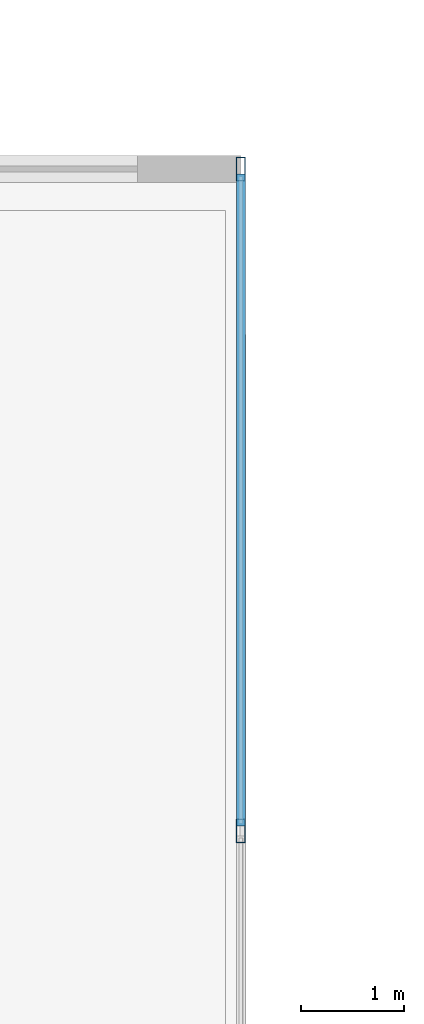
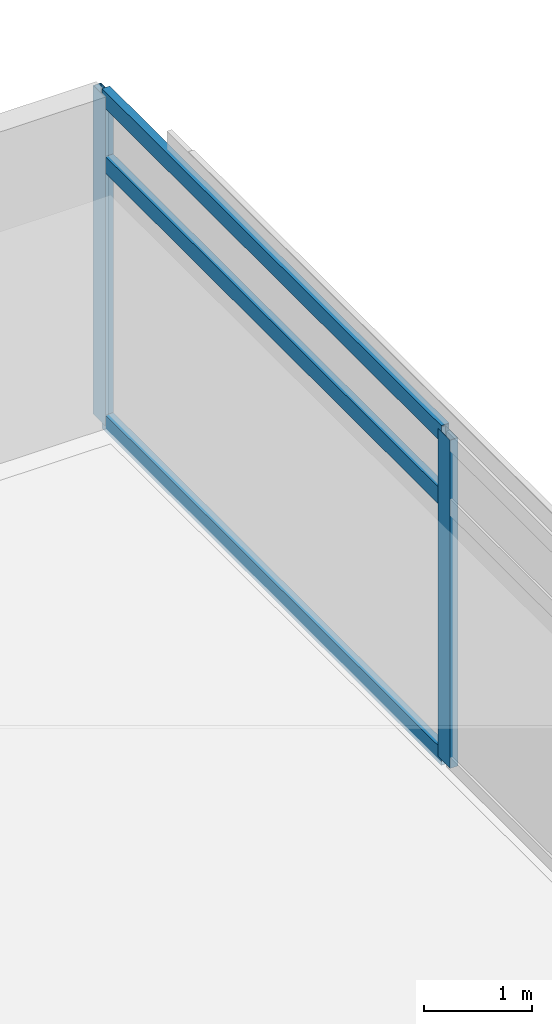
# One storey, part 11 of 22: 5 members, 1 element without a shape of its own.
"""IFC4 building model written with IfcOpenShell, lengths in metres."""

import ifcopenshell
import ifcopenshell.guid

model = None  # the IFC model being written
_history = None  # IfcOwnerHistory: only IFC2X3 demands one
_inside = {}  # id of a spatial element -> (the spatial element, [elements in it])
_under = {}  # id of a project, library or spatial element -> (it, [spatial elements below it])
_declared = {}  # id of a project -> (the project, [libraries it declares])
_typed = {}  # id of a type object -> (the type object, [elements of that type])
_made_of = {}  # id of a material, layer set ... -> (it, [elements and type objects made of it])


def new_model(schema):
    """Start an empty IFC model of exactly this schema.

    Asked for "IFC4X3", IfcOpenShell would pick the latest addendum, in which some entities
    have other attributes; the version numbers below select the first issue.
    IFC2X3 requires an IfcOwnerHistory on every rooted entity: one is made here for all.
    """
    global model, _history
    if schema == "IFC4X3":
        model = ifcopenshell.file(schema_version=(4, 3, 0, 0))
    else:
        model = ifcopenshell.file(schema=schema)
    _inside.clear()
    _under.clear()
    _declared.clear()
    _typed.clear()
    _made_of.clear()
    _history = None
    if model.schema == "IFC2X3":
        org = make("IfcOrganization", Name="unknown")
        user = make(
            "IfcPersonAndOrganization",
            ThePerson=make("IfcPerson", FamilyName="unknown"),
            TheOrganization=org,
        )
        app = make(
            "IfcApplication",
            ApplicationDeveloper=org,
            Version="unknown",
            ApplicationFullName="unknown",
            ApplicationIdentifier="unknown",
        )
        _history = make(
            "IfcOwnerHistory",
            OwningUser=user,
            OwningApplication=app,
            ChangeAction="ADDED",
            CreationDate=0,
        )
    return model


def make(cls, **values):
    """One entity of the class cls with the attributes given. An attribute that is None is left unset."""
    return model.create_entity(
        cls, **{name: value for name, value in values.items() if value is not None}
    )


def rooted(cls, **values):
    """An entity with a GlobalId (a new one), such as an element, a storey or a relation."""
    return make(cls, GlobalId=ifcopenshell.guid.new(), OwnerHistory=_history, **values)


def si_unit(unit_type, name, prefix=None):
    """IfcSIUnit, for example si_unit("LENGTHUNIT", "METRE", prefix="MILLI")."""
    return make("IfcSIUnit", UnitType=unit_type, Prefix=prefix, Name=name)


def assignment(units):
    """IfcUnitAssignment: the units of a project."""
    return None if units is None else make("IfcUnitAssignment", Units=units)


def point(xyz):
    """IfcCartesianPoint."""
    return None if xyz is None else make("IfcCartesianPoint", Coordinates=xyz)


def direction(xyz):
    """IfcDirection."""
    return None if xyz is None else make("IfcDirection", DirectionRatios=xyz)


def frame(location, z_axis=None, x_axis=None):
    """IfcAxis2Placement3D, a coordinate frame: its origin and axes. An axis left out is left unset."""
    return make(
        "IfcAxis2Placement3D",
        Location=point(location),
        Axis=direction(z_axis),
        RefDirection=direction(x_axis),
    )


def frame_2d(location, x_axis=None):
    """IfcAxis2Placement2D, a coordinate frame in the plane: its origin and x axis."""
    return make(
        "IfcAxis2Placement2D", Location=point(location), RefDirection=direction(x_axis)
    )


def origin():
    """The frame at (0, 0, 0) with its axes left unset."""
    return frame((0.0, 0.0, 0.0))


def origin_2d():
    """The frame at (0, 0) in the plane with its x axis left unset."""
    return frame_2d((0.0, 0.0))


def place(relative_to, where):
    """IfcLocalPlacement: puts the frame where relative to a parent placement (None: the world)."""
    return make(
        "IfcLocalPlacement", PlacementRelTo=relative_to, RelativePlacement=where
    )


def context(
    kind, dimensions, precision=None, world=None, true_north=None, identifier=None
):
    """IfcGeometricRepresentationContext, for example the 3D "Model" context."""
    return make(
        "IfcGeometricRepresentationContext",
        ContextIdentifier=identifier,
        ContextType=kind,
        CoordinateSpaceDimension=dimensions,
        Precision=precision,
        WorldCoordinateSystem=world,
        TrueNorth=true_north,
    )


def subcontext(parent, identifier, kind, view, scale=None):
    """IfcGeometricRepresentationSubContext, for example "Body" below "Model"."""
    return make(
        "IfcGeometricRepresentationSubContext",
        ContextIdentifier=identifier,
        ContextType=kind,
        ParentContext=parent,
        TargetScale=scale,
        TargetView=view,
    )


def project(units=None, contexts=None):
    """IfcProject with its units and contexts."""
    return rooted(
        "IfcProject",
        Name="project",
        RepresentationContexts=contexts,
        UnitsInContext=assignment(units),
    )


def spatial(cls, under=None, at=None, **own):
    """A site, building, storey or space (cls), placed at a placement, below another one or the project."""
    s = rooted(cls, ObjectPlacement=at, **own)
    if under is not None:
        _under.setdefault(under.id(), (under, []))[1].append(s)
    return s


def profile(cls, at=None, kind="AREA", **sizes):
    """A parametric profile (cls). Its sizes go by their IFC names, for example OverallWidth=200.0."""
    return make(cls, ProfileType=kind, Position=at, **sizes)


def hollow_rectangle(**sizes):
    """IfcRectangleHollowProfileDef."""
    return profile("IfcRectangleHollowProfileDef", **sizes)


def extrude(swept, where, along, depth):
    """IfcExtrudedAreaSolid: the profile swept, set in the frame where, extruded along a direction by depth."""
    return make(
        "IfcExtrudedAreaSolid",
        SweptArea=swept,
        Position=where,
        ExtrudedDirection=direction(along),
        Depth=depth,
    )


def shape(context_of_items, identifier, shape_type, items):
    """IfcShapeRepresentation: the items that make up one representation, for example the "Body"."""
    return make(
        "IfcShapeRepresentation",
        ContextOfItems=context_of_items,
        RepresentationIdentifier=identifier,
        RepresentationType=shape_type,
        Items=items,
    )


def material(Name=None, Category=None):
    """IfcMaterial."""
    return make("IfcMaterial", Name=Name, Category=Category)


def material_profile(
    of_material, cross_section, Name=None, Category=None, Priority=None
):
    """IfcMaterialProfile: a cross section and its material."""
    return make(
        "IfcMaterialProfile",
        Name=Name,
        Material=of_material,
        Profile=cross_section,
        Priority=Priority,
        Category=Category,
    )


def profile_set(profiles, Name=None, composite=None):
    """IfcMaterialProfileSet."""
    return make(
        "IfcMaterialProfileSet",
        Name=Name,
        MaterialProfiles=profiles,
        CompositeProfile=composite,
    )


def made_of(thing, what):
    """Note that an element or type object is made of a material, layer set ...; save() writes the relation."""
    if what is not None:
        _made_of.setdefault(what.id(), (what, []))[1].append(thing)
    return thing


def type_object(cls, material=None, **own):
    """A type object (cls), such as IfcWallType, which elements share."""
    return made_of(rooted(cls, **own), material)


def element(
    cls,
    number,
    at=None,
    inside=None,
    cuts=None,
    type_object=None,
    material=None,
    context=None,
    identifier="Body",
    shape_type=None,
    held_by="IfcProductDefinitionShape",
    body=None,
    shapes=None,
    **own,
):
    """One element of the class cls, such as IfcWall. Its Tag is "e" and its number.

    at: its placement. inside: the storey or other place that contains it. cuts: it is an
    opening in that element (IfcRelVoidsElement). A single representation is given by context,
    identifier, shape_type and body (its items); several are given by shapes. held_by: the class
    of the entity that holds the representations. save() writes the other relations.
    """
    e = rooted(cls, Tag="e%d" % number, ObjectPlacement=at, **own)
    if body is not None:
        shapes = [shape(context, identifier, shape_type, body)]
    if shapes is not None:
        e.Representation = make(held_by, Representations=shapes)
    if inside is not None:
        _inside.setdefault(inside.id(), (inside, []))[1].append(e)
    if cuts is not None:
        rooted(
            "IfcRelVoidsElement", RelatingBuildingElement=cuts, RelatedOpeningElement=e
        )
    if type_object is not None:
        _typed.setdefault(type_object.id(), (type_object, []))[1].append(e)
    return made_of(e, material)


def aggregate(whole, parts):
    """IfcRelAggregates: a whole, such as a stair, and the parts it consists of."""
    return rooted("IfcRelAggregates", RelatingObject=whole, RelatedObjects=parts)


def save(model, path):
    """Write the relations noted so far, then the file.

    IfcRelAggregates (storeys below a building ...), IfcRelContainedInSpatialStructure (elements
    in a storey), IfcRelDefinesByType, IfcRelAssociatesMaterial and IfcRelDeclares: one each for
    every whole, place, type object, material and project.
    """
    for whole, parts in _under.values():
        aggregate(whole, parts)
    for where, things in _inside.values():
        rooted(
            "IfcRelContainedInSpatialStructure",
            RelatedElements=things,
            RelatingStructure=where,
        )
    for kind, things in _typed.values():
        rooted("IfcRelDefinesByType", RelatedObjects=things, RelatingType=kind)
    for what, things in _made_of.values():
        rooted("IfcRelAssociatesMaterial", RelatedObjects=things, RelatingMaterial=what)
    for by, libraries in _declared.values():
        rooted("IfcRelDeclares", RelatingContext=by, RelatedDefinitions=libraries)
    model.write(path)


model = new_model("IFC4")

# Units and contexts
model_context = context("Model", 3, precision=1e-05, world=origin(), true_north=direction((0.0, 1.0)))
body_context = subcontext(model_context, "Body", "Model", "MODEL_VIEW")
ifc_project = project(units=[si_unit("LENGTHUNIT", "METRE"), si_unit("AREAUNIT", "SQUARE_METRE"), si_unit("VOLUMEUNIT", "CUBIC_METRE"), si_unit("PLANEANGLEUNIT", "RADIAN"), si_unit("MASSUNIT", "GRAM", prefix="KILO")], contexts=[model_context])

# Site, building, storey
site_placement = place(None, origin())
site = spatial("IfcSite", under=ifc_project, at=site_placement, CompositionType="ELEMENT")
building_placement = place(site_placement, origin())
building = spatial("IfcBuilding", under=site, at=building_placement, Name="Kovane Verandah Tower", CompositionType="ELEMENT")
storey_placement = place(building_placement, frame((0.0, 0.0, 79.60009765625)))
storey = spatial("IfcBuildingStorey", under=building, at=storey_placement, Name="L18", CompositionType="ELEMENT", Elevation=79.60009765625)

# Curtain wall, members
ifc_material_1 = material(Name="Champagne Anodised Aluminium Frame with Low-E Clear Laminated Glass", Category="aluminium")
curtain_wall_type = type_object("IfcCurtainWallType", Name="CW-SYS-02-LOW", PredefinedType="NOTDEFINED", material=ifc_material_1)
curtain_wall_placement = place(storey_placement, origin())
curtain_wall = element("IfcCurtainWall", 1, at=curtain_wall_placement, inside=storey, type_object=curtain_wall_type, Name="L18 E Unitised Curtain Wall", PredefinedType="NOTDEFINED")
ifc_material_2 = material(Name="Champagne Anodised Aluminium 6063-T6", Category="aluminium")
ifc_material_profile_1 = material_profile(ifc_material_2, hollow_rectangle(XDim=0.0849609375, YDim=0.22998046875, WallThickness=0.00390625, at=origin_2d()), Name="AL85x230x4")
ifc_profile_set_1 = profile_set([ifc_material_profile_1], Name="Champagne Anodised Aluminium 6063-T6")
member_type_1 = type_object("IfcMemberType", Name="CW-MUL-85x230", PredefinedType="MULLION", material=ifc_profile_set_1)
member_1_placement = place(storey_placement, frame((66.228759765625, 40.300048828125, 0.02001953125), z_axis=(0.0, 0.0, 1.0), x_axis=(1.0, 0.0, 0.0)))
member_1 = element("IfcMember", 2, at=member_1_placement, type_object=member_type_1, Name="L18 E Unitised Curtain Wall Mullion 6", PredefinedType="MULLION", context=body_context, shape_type="SweptSolid", body=[
    extrude(hollow_rectangle(XDim=0.0849609375, YDim=0.22998046875, WallThickness=0.00390625, at=origin_2d()), origin(), (0.0, 0.0, 1.0), 3.719970703125),
])
member_2_placement = place(storey_placement, frame((66.228759765625, 46.7001953125, 0.02001953125), z_axis=(0.0, 0.0, 1.0), x_axis=(1.0, 0.0, 0.0)))
member_2 = element("IfcMember", 3, at=member_2_placement, type_object=member_type_1, Name="L18 E Unitised Curtain Wall Mullion 7", PredefinedType="MULLION", context=body_context, shape_type="SweptSolid", body=[
    extrude(hollow_rectangle(XDim=0.0849609375, YDim=0.22998046875, WallThickness=0.00390625, at=origin_2d()), origin(), (0.0, 0.0, 1.0), 3.719970703125),
])
ifc_material_profile_2 = material_profile(ifc_material_2, hollow_rectangle(XDim=0.0849609375, YDim=0.18994140625, WallThickness=0.00390625, at=origin_2d()), Name="AL85x190x4")
ifc_profile_set_2 = profile_set([ifc_material_profile_2], Name="Champagne Anodised Aluminium 6063-T6")
member_type_2 = type_object("IfcMemberType", Name="CW-TRN-85x190", PredefinedType="USERDEFINED", material=ifc_profile_set_2)
member_3_placement = place(storey_placement, frame((66.228759765625, 40.35009765625, 0.0498046875), z_axis=(0.0, 1.0, 0.0), x_axis=(-1.0, 0.0, 0.0)))
member_3 = element("IfcMember", 4, at=member_3_placement, type_object=member_type_2, Name="L18 E Unitised Curtain Wall Transom TB Bay 6", ObjectType="TRANSOM", PredefinedType="USERDEFINED", context=body_context, shape_type="SweptSolid", body=[
    extrude(hollow_rectangle(XDim=0.0849609375, YDim=0.18994140625, WallThickness=0.00390625, at=origin_2d()), origin(), (0.0, 0.0, 1.0), 6.300048828125),
])
member_4_placement = place(storey_placement, frame((66.228759765625, 40.35009765625, 2.97998046875), z_axis=(0.0, 1.0, 0.0), x_axis=(-1.0, 0.0, 0.0)))
member_4 = element("IfcMember", 5, at=member_4_placement, type_object=member_type_2, Name="L18 E Unitised Curtain Wall Transom TM Bay 6", ObjectType="TRANSOM", PredefinedType="USERDEFINED", context=body_context, shape_type="SweptSolid", body=[
    extrude(hollow_rectangle(XDim=0.0849609375, YDim=0.18994140625, WallThickness=0.00390625, at=origin_2d()), origin(), (0.0, 0.0, 1.0), 6.300048828125),
])
member_5_placement = place(storey_placement, frame((66.228759765625, 40.35009765625, 3.7099609375), z_axis=(0.0, 1.0, 0.0), x_axis=(-1.0, 0.0, 0.0)))
member_5 = element("IfcMember", 6, at=member_5_placement, type_object=member_type_2, Name="L18 E Unitised Curtain Wall Transom TT Bay 6", ObjectType="TRANSOM", PredefinedType="USERDEFINED", context=body_context, shape_type="SweptSolid", body=[
    extrude(hollow_rectangle(XDim=0.0849609375, YDim=0.18994140625, WallThickness=0.00390625, at=origin_2d()), origin(), (0.0, 0.0, 1.0), 6.300048828125),
])
aggregate(curtain_wall, [member_1, member_2, member_3, member_4, member_5])

save(model, "model.ifc")
